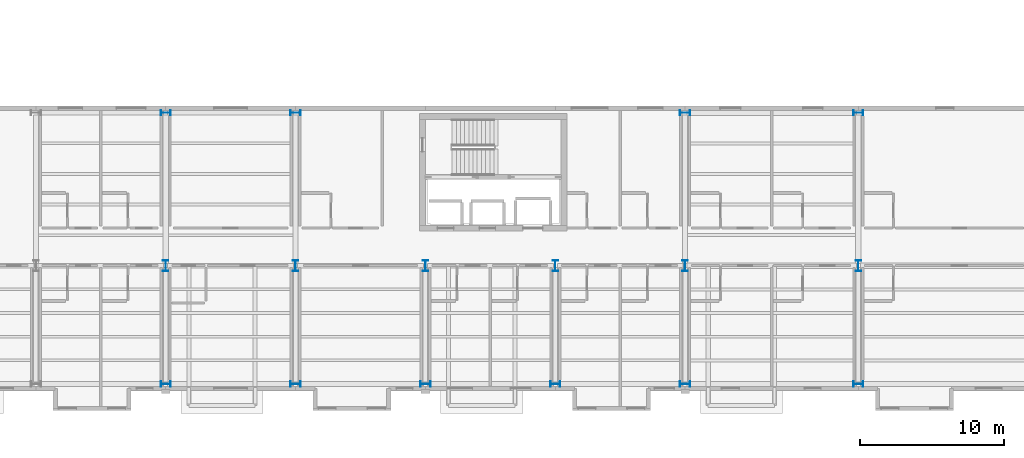
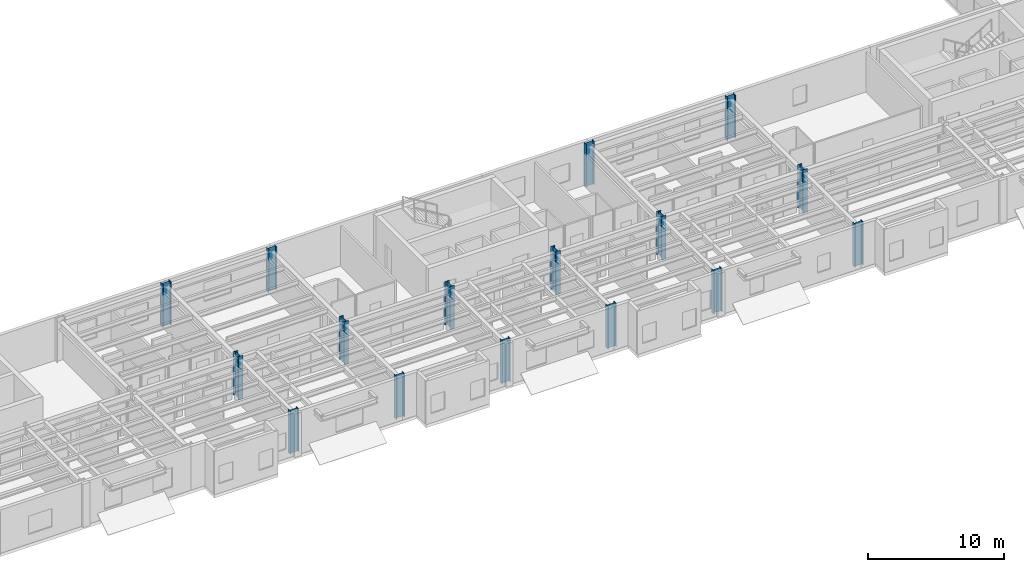
# One storey, part 3 of 46: 16 columns.
"""IFC4 building model written with IfcOpenShell, lengths in metres."""

import ifcopenshell
import ifcopenshell.guid

model = None  # the IFC model being written
_history = None  # IfcOwnerHistory: only IFC2X3 demands one
_inside = {}  # id of a spatial element -> (the spatial element, [elements in it])
_under = {}  # id of a project, library or spatial element -> (it, [spatial elements below it])
_declared = {}  # id of a project -> (the project, [libraries it declares])
_typed = {}  # id of a type object -> (the type object, [elements of that type])
_made_of = {}  # id of a material, layer set ... -> (it, [elements and type objects made of it])


def new_model(schema):
    """Start an empty IFC model of exactly this schema.

    Asked for "IFC4X3", IfcOpenShell would pick the latest addendum, in which some entities
    have other attributes; the version numbers below select the first issue.
    IFC2X3 requires an IfcOwnerHistory on every rooted entity: one is made here for all.
    """
    global model, _history
    if schema == "IFC4X3":
        model = ifcopenshell.file(schema_version=(4, 3, 0, 0))
    else:
        model = ifcopenshell.file(schema=schema)
    _inside.clear()
    _under.clear()
    _declared.clear()
    _typed.clear()
    _made_of.clear()
    _history = None
    if model.schema == "IFC2X3":
        org = make("IfcOrganization", Name="unknown")
        user = make(
            "IfcPersonAndOrganization",
            ThePerson=make("IfcPerson", FamilyName="unknown"),
            TheOrganization=org,
        )
        app = make(
            "IfcApplication",
            ApplicationDeveloper=org,
            Version="unknown",
            ApplicationFullName="unknown",
            ApplicationIdentifier="unknown",
        )
        _history = make(
            "IfcOwnerHistory",
            OwningUser=user,
            OwningApplication=app,
            ChangeAction="ADDED",
            CreationDate=0,
        )
    return model


def make(cls, **values):
    """One entity of the class cls with the attributes given. An attribute that is None is left unset."""
    return model.create_entity(
        cls, **{name: value for name, value in values.items() if value is not None}
    )


def rooted(cls, **values):
    """An entity with a GlobalId (a new one), such as an element, a storey or a relation."""
    return make(cls, GlobalId=ifcopenshell.guid.new(), OwnerHistory=_history, **values)


def si_unit(unit_type, name, prefix=None):
    """IfcSIUnit, for example si_unit("LENGTHUNIT", "METRE", prefix="MILLI")."""
    return make("IfcSIUnit", UnitType=unit_type, Prefix=prefix, Name=name)


def assignment(units):
    """IfcUnitAssignment: the units of a project."""
    return None if units is None else make("IfcUnitAssignment", Units=units)


def point(xyz):
    """IfcCartesianPoint."""
    return None if xyz is None else make("IfcCartesianPoint", Coordinates=xyz)


def direction(xyz):
    """IfcDirection."""
    return None if xyz is None else make("IfcDirection", DirectionRatios=xyz)


def frame(location, z_axis=None, x_axis=None):
    """IfcAxis2Placement3D, a coordinate frame: its origin and axes. An axis left out is left unset."""
    return make(
        "IfcAxis2Placement3D",
        Location=point(location),
        Axis=direction(z_axis),
        RefDirection=direction(x_axis),
    )


def frame_2d(location, x_axis=None):
    """IfcAxis2Placement2D, a coordinate frame in the plane: its origin and x axis."""
    return make(
        "IfcAxis2Placement2D", Location=point(location), RefDirection=direction(x_axis)
    )


def origin():
    """The frame at (0, 0, 0) with its axes left unset."""
    return frame((0.0, 0.0, 0.0))


def origin_2d():
    """The frame at (0, 0) in the plane with its x axis left unset."""
    return frame_2d((0.0, 0.0))


def place(relative_to, where):
    """IfcLocalPlacement: puts the frame where relative to a parent placement (None: the world)."""
    return make(
        "IfcLocalPlacement", PlacementRelTo=relative_to, RelativePlacement=where
    )


def context(
    kind, dimensions, precision=None, world=None, true_north=None, identifier=None
):
    """IfcGeometricRepresentationContext, for example the 3D "Model" context."""
    return make(
        "IfcGeometricRepresentationContext",
        ContextIdentifier=identifier,
        ContextType=kind,
        CoordinateSpaceDimension=dimensions,
        Precision=precision,
        WorldCoordinateSystem=world,
        TrueNorth=true_north,
    )


def subcontext(parent, identifier, kind, view, scale=None):
    """IfcGeometricRepresentationSubContext, for example "Body" below "Model"."""
    return make(
        "IfcGeometricRepresentationSubContext",
        ContextIdentifier=identifier,
        ContextType=kind,
        ParentContext=parent,
        TargetScale=scale,
        TargetView=view,
    )


def project(units=None, contexts=None):
    """IfcProject with its units and contexts."""
    return rooted(
        "IfcProject",
        Name="project",
        RepresentationContexts=contexts,
        UnitsInContext=assignment(units),
    )


def spatial(cls, under=None, at=None, **own):
    """A site, building, storey or space (cls), placed at a placement, below another one or the project."""
    s = rooted(cls, ObjectPlacement=at, **own)
    if under is not None:
        _under.setdefault(under.id(), (under, []))[1].append(s)
    return s


def profile(cls, at=None, kind="AREA", **sizes):
    """A parametric profile (cls). Its sizes go by their IFC names, for example OverallWidth=200.0."""
    return make(cls, ProfileType=kind, Position=at, **sizes)


def i_section(**sizes):
    """IfcIShapeProfileDef."""
    return profile("IfcIShapeProfileDef", **sizes)


def extrude(swept, where, along, depth):
    """IfcExtrudedAreaSolid: the profile swept, set in the frame where, extruded along a direction by depth."""
    return make(
        "IfcExtrudedAreaSolid",
        SweptArea=swept,
        Position=where,
        ExtrudedDirection=direction(along),
        Depth=depth,
    )


def shape(context_of_items, identifier, shape_type, items):
    """IfcShapeRepresentation: the items that make up one representation, for example the "Body"."""
    return make(
        "IfcShapeRepresentation",
        ContextOfItems=context_of_items,
        RepresentationIdentifier=identifier,
        RepresentationType=shape_type,
        Items=items,
    )


def material(Name=None, Category=None):
    """IfcMaterial."""
    return make("IfcMaterial", Name=Name, Category=Category)


def material_profile(
    of_material, cross_section, Name=None, Category=None, Priority=None
):
    """IfcMaterialProfile: a cross section and its material."""
    return make(
        "IfcMaterialProfile",
        Name=Name,
        Material=of_material,
        Profile=cross_section,
        Priority=Priority,
        Category=Category,
    )


def profile_set(profiles, Name=None, composite=None):
    """IfcMaterialProfileSet."""
    return make(
        "IfcMaterialProfileSet",
        Name=Name,
        MaterialProfiles=profiles,
        CompositeProfile=composite,
    )


def made_of(thing, what):
    """Note that an element or type object is made of a material, layer set ...; save() writes the relation."""
    if what is not None:
        _made_of.setdefault(what.id(), (what, []))[1].append(thing)
    return thing


def type_object(cls, material=None, **own):
    """A type object (cls), such as IfcWallType, which elements share."""
    return made_of(rooted(cls, **own), material)


def element(
    cls,
    number,
    at=None,
    inside=None,
    cuts=None,
    type_object=None,
    material=None,
    context=None,
    identifier="Body",
    shape_type=None,
    held_by="IfcProductDefinitionShape",
    body=None,
    shapes=None,
    **own,
):
    """One element of the class cls, such as IfcWall. Its Tag is "e" and its number.

    at: its placement. inside: the storey or other place that contains it. cuts: it is an
    opening in that element (IfcRelVoidsElement). A single representation is given by context,
    identifier, shape_type and body (its items); several are given by shapes. held_by: the class
    of the entity that holds the representations. save() writes the other relations.
    """
    e = rooted(cls, Tag="e%d" % number, ObjectPlacement=at, **own)
    if body is not None:
        shapes = [shape(context, identifier, shape_type, body)]
    if shapes is not None:
        e.Representation = make(held_by, Representations=shapes)
    if inside is not None:
        _inside.setdefault(inside.id(), (inside, []))[1].append(e)
    if cuts is not None:
        rooted(
            "IfcRelVoidsElement", RelatingBuildingElement=cuts, RelatedOpeningElement=e
        )
    if type_object is not None:
        _typed.setdefault(type_object.id(), (type_object, []))[1].append(e)
    return made_of(e, material)


def aggregate(whole, parts):
    """IfcRelAggregates: a whole, such as a stair, and the parts it consists of."""
    return rooted("IfcRelAggregates", RelatingObject=whole, RelatedObjects=parts)


def save(model, path):
    """Write the relations noted so far, then the file.

    IfcRelAggregates (storeys below a building ...), IfcRelContainedInSpatialStructure (elements
    in a storey), IfcRelDefinesByType, IfcRelAssociatesMaterial and IfcRelDeclares: one each for
    every whole, place, type object, material and project.
    """
    for whole, parts in _under.values():
        aggregate(whole, parts)
    for where, things in _inside.values():
        rooted(
            "IfcRelContainedInSpatialStructure",
            RelatedElements=things,
            RelatingStructure=where,
        )
    for kind, things in _typed.values():
        rooted("IfcRelDefinesByType", RelatedObjects=things, RelatingType=kind)
    for what, things in _made_of.values():
        rooted("IfcRelAssociatesMaterial", RelatedObjects=things, RelatingMaterial=what)
    for by, libraries in _declared.values():
        rooted("IfcRelDeclares", RelatingContext=by, RelatedDefinitions=libraries)
    model.write(path)


model = new_model("IFC4")

# Units and contexts
model_context = context("Model", 3, precision=1e-05, world=origin(), true_north=direction((0.0, 1.0)))
body_context = subcontext(model_context, "Body", "Model", "MODEL_VIEW")
ifc_project = project(units=[si_unit("LENGTHUNIT", "METRE"), si_unit("AREAUNIT", "SQUARE_METRE"), si_unit("VOLUMEUNIT", "CUBIC_METRE"), si_unit("PLANEANGLEUNIT", "RADIAN"), si_unit("MASSUNIT", "GRAM", prefix="KILO")], contexts=[model_context])

# Site, building, storey
site_placement = place(None, origin())
site = spatial("IfcSite", under=ifc_project, at=site_placement, CompositionType="ELEMENT")
building_placement = place(site_placement, origin())
building = spatial("IfcBuilding", under=site, at=building_placement, Name="Sollismere Congress Hotel", CompositionType="ELEMENT")
storey_placement = place(building_placement, frame((0.0, 0.0, 19.5)))
storey = spatial("IfcBuildingStorey", under=building, at=storey_placement, Name="L04", CompositionType="ELEMENT", Elevation=19.5)

# Columns
ifc_material = material(Name="Steel ASTM A992 Grade 50", Category="steel")
ifc_material_profile_1 = material_profile(ifc_material, i_section(OverallWidth=0.35595703125, OverallDepth=0.714111328125, WebThickness=0.01904296875, FlangeThickness=0.033935546875, at=origin_2d()), Name="W27X194")
ifc_profile_set_1 = profile_set([ifc_material_profile_1], Name="Steel ASTM A992 Grade 50")
column_type_1 = type_object("IfcColumnType", Name="COL-W27", PredefinedType="COLUMN", material=ifc_profile_set_1)
for number, where, z_axis, x_axis, name in (
    (1, (76.0, 0.0, 0.0), (0.0, 0.0, 1.0), (0.0, 1.0, 0.0), "Column CL-L04-345"),
    (2, (76.0, 18.800048828125, 0.0), (0.0, 0.0, 1.0), (0.0, 1.0, 0.0), "Column CL-L04-367"),
    (3, (85.0, 0.0, 0.0), (0.0, 0.0, 1.0), (0.0, 1.0, 0.0), "Column CL-L04-398"),
    (4, (85.0, 18.800048828125, 0.0), (0.0, 0.0, 1.0), (0.0, 1.0, 0.0), "Column CL-L04-424"),
    (5, (94.0, 0.0, 0.0), (0.0, 0.0, 1.0), (0.0, 1.0, 0.0), "Column CL-L04-457"),
    (6, (103.0, 0.0, 0.0), (0.0, 0.0, 1.0), (0.0, 1.0, 0.0), "Column CL-L04-515"),
    (7, (112.0, 0.0, 0.0), (0.0, 0.0, 1.0), (0.0, 1.0, 0.0), "Column CL-L04-573"),
    (8, (112.0, 18.800048828125, 0.0), (0.0, 0.0, 1.0), (0.0, 1.0, 0.0), "Column CL-L04-599"),
    (9, (124.0, 0.0, 0.0), (0.0, 0.0, 1.0), (0.0, 1.0, 0.0), "Column CL-L04-651"),
    (10, (124.0, 18.800048828125, 0.0), (0.0, 0.0, 1.0), (0.0, 1.0, 0.0), "Column CL-L04-677"),
):
    element("IfcColumn", number, at=place(storey_placement, frame(where, z_axis=z_axis, x_axis=x_axis)), inside=storey, type_object=column_type_1, Name=name, PredefinedType="COLUMN", context=body_context, shape_type="SweptSolid", body=[
        extrude(i_section(OverallWidth=0.35595703125, OverallDepth=0.714111328125, WebThickness=0.01904296875, FlangeThickness=0.033935546875, at=origin_2d()), origin(), (0.0, 0.0, 1.0), 3.89990234375),
    ])
ifc_material_profile_2 = material_profile(ifc_material, i_section(OverallWidth=0.384033203125, OverallDepth=0.787109375, WebThickness=0.019775390625, FlangeThickness=0.033447265625, at=origin_2d()), Name="W30X211")
ifc_profile_set_2 = profile_set([ifc_material_profile_2], Name="Steel ASTM A992 Grade 50")
column_type_2 = type_object("IfcColumnType", Name="COL-W30", PredefinedType="COLUMN", material=ifc_profile_set_2)
for number, where, z_axis, x_axis, name in (
    (11, (76.0, 8.199951171875, 0.0), (0.0, 0.0, 1.0), (1.0, 0.0, 0.0), "Column CL-L04-356"),
    (12, (85.0, 8.199951171875, 0.0), (0.0, 0.0, 1.0), (1.0, 0.0, 0.0), "Column CL-L04-411"),
    (13, (94.0, 8.199951171875, 0.0), (0.0, 0.0, 1.0), (1.0, 0.0, 0.0), "Column CL-L04-470"),
    (14, (103.0, 8.199951171875, 0.0), (0.0, 0.0, 1.0), (1.0, 0.0, 0.0), "Column CL-L04-528"),
    (15, (112.0, 8.199951171875, 0.0), (0.0, 0.0, 1.0), (1.0, 0.0, 0.0), "Column CL-L04-586"),
    (16, (124.0, 8.199951171875, 0.0), (0.0, 0.0, 1.0), (1.0, 0.0, 0.0), "Column CL-L04-664"),
):
    element("IfcColumn", number, at=place(storey_placement, frame(where, z_axis=z_axis, x_axis=x_axis)), inside=storey, type_object=column_type_2, Name=name, PredefinedType="COLUMN", context=body_context, shape_type="SweptSolid", body=[
        extrude(i_section(OverallWidth=0.384033203125, OverallDepth=0.787109375, WebThickness=0.019775390625, FlangeThickness=0.033447265625, at=origin_2d()), origin(), (0.0, 0.0, 1.0), 3.89990234375),
    ])

save(model, "model.ifc")
